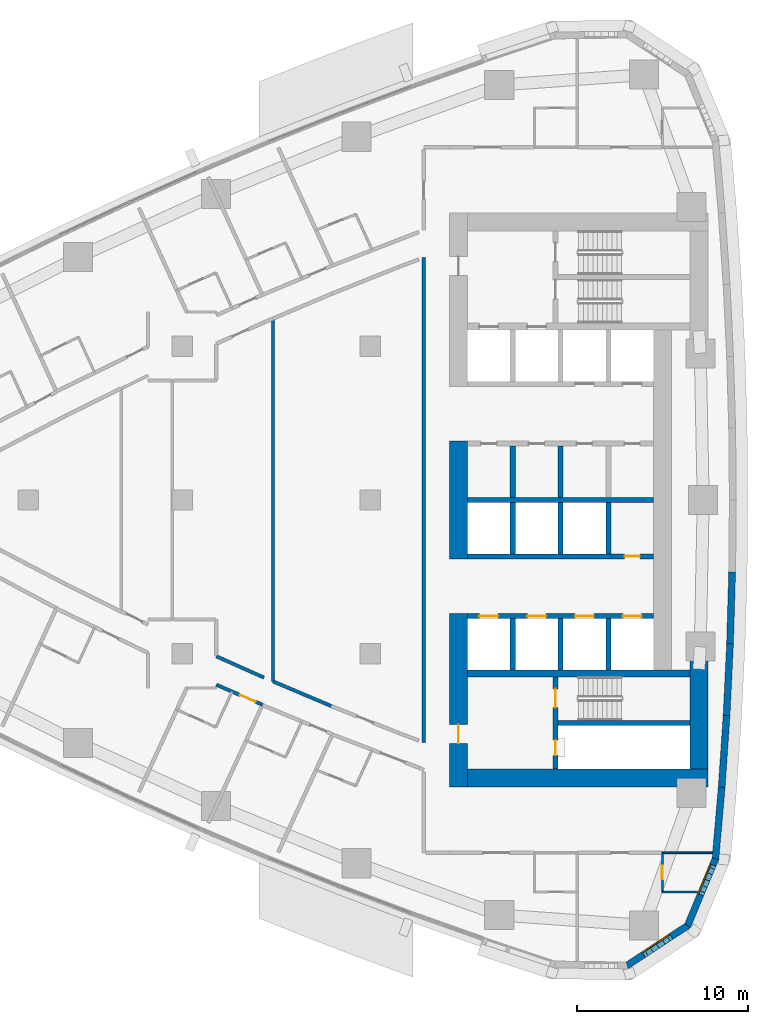
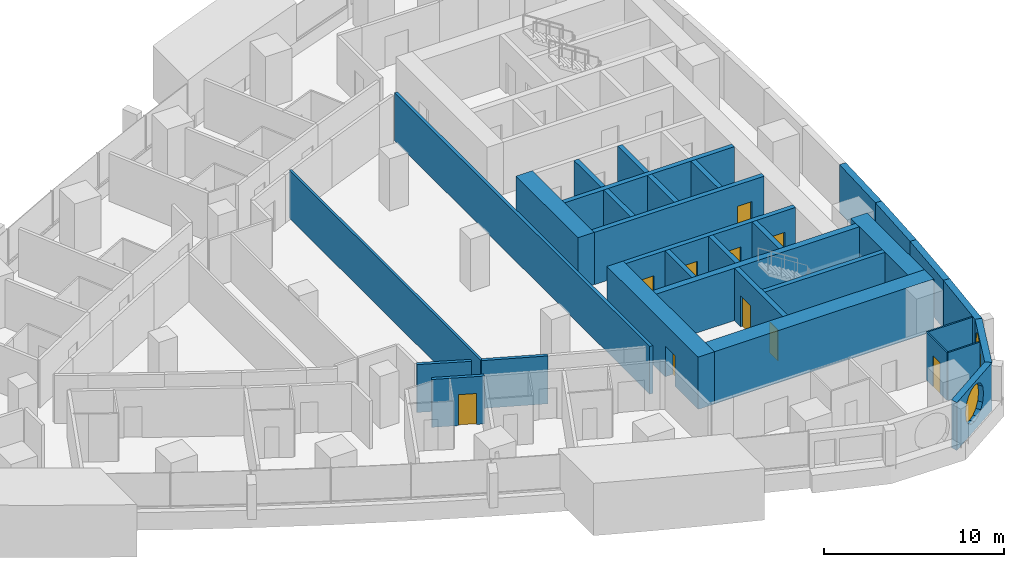
# One storey, part 10 of 17: 32 walls, 10 doors, 2 windows, 12 openings.
"""IFC4 building model written with IfcOpenShell, lengths in metres."""

from ifc_helpers import new_model, si_unit, direction, frame, frame_2d, origin, place, context, subcontext, project, spatial, polyline, rectangle, outline, extrude, material, layer, layer_set, type_object, element, fill, save


model = new_model("IFC4")

# Units and contexts
model_context = context("Model", 3, precision=1e-05, world=origin(), true_north=direction((0.0, 1.0)))
body_context = subcontext(model_context, "Body", "Model", "MODEL_VIEW")
ifc_project = project(units=[si_unit("LENGTHUNIT", "METRE"), si_unit("AREAUNIT", "SQUARE_METRE"), si_unit("VOLUMEUNIT", "CUBIC_METRE"), si_unit("PLANEANGLEUNIT", "RADIAN"), si_unit("MASSUNIT", "GRAM", prefix="KILO")], contexts=[model_context])

# Site, building, storey
site_placement = place(None, origin())
site = spatial("IfcSite", under=ifc_project, at=site_placement, CompositionType="ELEMENT")
building_placement = place(site_placement, origin())
building = spatial("IfcBuilding", under=site, at=building_placement, Name="Ostrand Prow Hotel Tower", CompositionType="ELEMENT")
storey_placement = place(building_placement, frame((0.0, 0.0, 84.89990234375)))
storey = spatial("IfcBuildingStorey", under=building, at=storey_placement, Name="L19", CompositionType="ELEMENT", Elevation=84.89990234375)

# Wall
ifc_material_1 = material(Name="Concrete C80/95", Category="concrete")
ifc_layer_1 = layer(ifc_material_1, 1.050048828125)
ifc_layer_set_1 = layer_set([ifc_layer_1], Name="Concrete C80/95")
wall_type_1 = type_object("IfcWallType", Name="Core wall 1050 C80/95", PredefinedType="SHEAR", material=ifc_layer_set_1)
wall_1_placement = place(storey_placement, frame((50.175048828125, -3.449951171875, 0.0), z_axis=(0.0, 0.0, 1.0), x_axis=(0.0, 1.0, 0.0)))
element("IfcWall", 1, at=wall_1_placement, inside=storey, type_object=wall_type_1, Name="Core wall CW-W-C", PredefinedType="SHEAR", context=body_context, shape_type="SweptSolid", body=[
    extrude(rectangle(XDim=6.89990234375, YDim=1.050048828125, at=frame_2d((3.449951171875, 0.0))), origin(), (0.0, 0.0, 1.0), 3.550048828125),
])

# Wall, opening, door
wall_2_placement = place(storey_placement, frame((50.175048828125, -16.800048828125, 0.0), z_axis=(0.0, 0.0, 1.0), x_axis=(0.0, 1.0, 0.0)))
wall_2 = element("IfcWall", 2, at=wall_2_placement, inside=storey, type_object=wall_type_1, Name="Core wall CW-W-S", PredefinedType="SHEAR", context=body_context, shape_type="SweptSolid", body=[
    extrude(rectangle(XDim=10.150146484375, YDim=1.050048828125, at=frame_2d((5.0751953125, 0.0))), origin(), (0.0, 0.0, 1.0), 3.550048828125),
])
opening_1_placement = place(wall_2_placement, frame((2.550048828125, 0.0, 0.0)))
opening_1 = element("IfcOpeningElement", 3, at=opening_1_placement, cuts=wall_2, Name="Opening FD1", PredefinedType="OPENING", context=body_context, shape_type="SweptSolid", body=[
    extrude(rectangle(XDim=1.10009765625, YDim=2.10009765625, at=frame_2d((0.550048828125, 1.050048828125))), frame((0.0, 0.534912109375, 0.0), z_axis=(0.0, -1.0, 0.0), x_axis=(1.0, 0.0, 0.0)), (0.0, 0.0, 1.0), 1.070068359375),
])
ifc_material_2 = material(Name="Steel fire door", Category="steel")
door_type_1 = type_object("IfcDoorType", Name="Fire door 1100 EI120", OperationType="SINGLE_SWING_RIGHT", PredefinedType="DOOR", material=ifc_material_2)
door_1_placement = place(opening_1_placement, origin())
door_1 = element("IfcDoor", 4, at=door_1_placement, inside=storey, type_object=door_type_1, Name="FIRE DOOR", OperationType="SINGLE_SWING_RIGHT", OverallHeight=2.10009765625, OverallWidth=1.10009765625, PredefinedType="DOOR", context=body_context, shape_type="SweptSolid", body=[
    extrude(rectangle(XDim=1.10009765625, YDim=2.10009765625, at=frame_2d((0.550048828125, 1.050048828125))), frame((0.0, 0.02490234375, 0.0), z_axis=(0.0, -1.0, 0.0), x_axis=(1.0, 0.0, 0.0)), (0.0, 0.0, 1.0), 0.050048828125),
])
fill(opening_1, door_1)

# Walls
wall_3_placement = place(storey_placement, frame((50.699951171875, -16.27490234375, 0.0), z_axis=(0.0, 0.0, 1.0), x_axis=(1.0, 0.0, 0.0)))
element("IfcWall", 5, at=wall_3_placement, inside=storey, type_object=wall_type_1, Name="Core wall CW-S", PredefinedType="SHEAR", context=body_context, shape_type="SweptSolid", body=[
    extrude(rectangle(XDim=14.070068359375, YDim=1.050048828125, at=frame_2d((7.03515625, 0.0))), origin(), (0.0, 0.0, 1.0), 3.550048828125),
])
wall_4_placement = place(storey_placement, frame((64.2451171875, -15.75, 0.0), z_axis=(0.0, 0.0, 1.0), x_axis=(0.0, 1.0, 0.0)))
element("IfcWall", 6, at=wall_4_placement, inside=storey, type_object=wall_type_1, Name="Core wall CW-E-S", PredefinedType="SHEAR", context=body_context, shape_type="SweptSolid", body=[
    extrude(rectangle(XDim=6.361328125, YDim=1.050048828125, at=frame_2d((3.1806640625, 0.0))), origin(), (0.0, 0.0, 1.0), 3.550048828125),
])
ifc_material_3 = material(Name="Concrete C80/95", Category="concrete")
ifc_layer_2 = layer(ifc_material_3, 0.300048828125)
ifc_layer_set_2 = layer_set([ifc_layer_2], Name="Concrete C80/95")
wall_type_2 = type_object("IfcWallType", Name="Core wall 300 C80/95", PredefinedType="SHEAR", material=ifc_layer_set_2)
wall_5_placement = place(storey_placement, frame((50.699951171875, 0.0, 0.0), z_axis=(0.0, 0.0, 1.0), x_axis=(1.0, 0.0, 0.0)))
element("IfcWall", 7, at=wall_5_placement, inside=storey, type_object=wall_type_2, Name="Core wall PW-C", PredefinedType="SHEAR", context=body_context, shape_type="SweptSolid", body=[
    extrude(rectangle(XDim=10.900146484375, YDim=0.300048828125, at=frame_2d((5.4501953125, 0.0))), origin(), (0.0, 0.0, 1.0), 3.550048828125),
])
for number, where, z_axis, x_axis, name in (
    (8, (53.35009765625, 0.14990234375, 0.0), (0.0, 0.0, 1.0), (0.0, 1.0, 0.0), "Core wall PW-R1-NB"),
    (9, (56.14990234375, 0.14990234375, 0.0), (0.0, 0.0, 1.0), (0.0, 1.0, 0.0), "Core wall PW-R2-NB"),
):
    element("IfcWall", number, at=place(storey_placement, frame(where, z_axis=z_axis, x_axis=x_axis)), inside=storey, type_object=wall_type_2, Name=name, PredefinedType="SHEAR", context=body_context, shape_type="SweptSolid", body=[
        extrude(rectangle(XDim=3.0, YDim=0.300048828125, at=frame_2d((1.5, 0.0))), origin(), (0.0, 0.0, 1.0), 3.550048828125),
    ])

# Wall, opening, door
wall_6_placement = place(storey_placement, frame((50.699951171875, -3.300048828125, 0.0), z_axis=(0.0, 0.0, 1.0), x_axis=(1.0, 0.0, 0.0)))
wall_6 = element("IfcWall", 10, at=wall_6_placement, inside=storey, type_object=wall_type_2, Name="Core wall PW-L1-S", PredefinedType="SHEAR", context=body_context, shape_type="SweptSolid", body=[
    extrude(rectangle(XDim=10.900146484375, YDim=0.300048828125, at=frame_2d((5.4501953125, 0.0))), origin(), (0.0, 0.0, 1.0), 3.550048828125),
])
opening_2_placement = place(wall_6_placement, frame((9.199951171875, 0.0, 0.0)))
opening_2 = element("IfcOpeningElement", 11, at=opening_2_placement, cuts=wall_6, Name="Opening FD2", PredefinedType="OPENING", context=body_context, shape_type="SweptSolid", body=[
    extrude(rectangle(XDim=0.89990234375, YDim=2.10009765625, at=frame_2d((0.449951171875, 1.050048828125))), frame((0.0, 0.159912109375, 0.0), z_axis=(0.0, -1.0, 0.0), x_axis=(1.0, 0.0, 0.0)), (0.0, 0.0, 1.0), 0.320068359375),
])
ifc_material_4 = material(Name="Steel fire door", Category="steel")
door_type_2 = type_object("IfcDoorType", Name="Fire door 900 EI120", OperationType="SINGLE_SWING_LEFT", PredefinedType="DOOR", material=ifc_material_4)
door_2_placement = place(opening_2_placement, origin())
door_2 = element("IfcDoor", 12, at=door_2_placement, inside=storey, type_object=door_type_2, Name="DOOR", OperationType="SINGLE_SWING_LEFT", OverallHeight=2.10009765625, OverallWidth=0.89990234375, PredefinedType="DOOR", context=body_context, shape_type="SweptSolid", body=[
    extrude(rectangle(XDim=0.89990234375, YDim=2.10009765625, at=frame_2d((0.449951171875, 1.050048828125))), frame((0.0, 0.02490234375, 0.0), z_axis=(0.0, -1.0, 0.0), x_axis=(1.0, 0.0, 0.0)), (0.0, 0.0, 1.0), 0.050048828125),
])
fill(opening_2, door_2)

# Wall, openings, doors
wall_7_placement = place(storey_placement, frame((50.699951171875, -6.800048828125, 0.0), z_axis=(0.0, 0.0, 1.0), x_axis=(1.0, 0.0, 0.0)))
wall_7 = element("IfcWall", 13, at=wall_7_placement, inside=storey, type_object=wall_type_2, Name="Core wall PW-L2-S", PredefinedType="SHEAR", context=body_context, shape_type="SweptSolid", body=[
    extrude(rectangle(XDim=10.900146484375, YDim=0.300048828125, at=frame_2d((5.4501953125, 0.0))), origin(), (0.0, 0.0, 1.0), 3.550048828125),
])
opening_3_placement = place(wall_7_placement, frame((0.699951171875, 0.0, 0.0)))
opening_3 = element("IfcOpeningElement", 14, at=opening_3_placement, cuts=wall_7, Name="Opening LD", PredefinedType="OPENING", context=body_context, shape_type="SweptSolid", body=[
    extrude(rectangle(XDim=1.10009765625, YDim=2.10009765625, at=frame_2d((0.550048828125, 1.050048828125))), frame((0.0, 0.159912109375, 0.0), z_axis=(0.0, -1.0, 0.0), x_axis=(1.0, 0.0, 0.0)), (0.0, 0.0, 1.0), 0.320068359375),
])
opening_4_placement = place(wall_7_placement, frame((3.5, 0.0, 0.0)))
opening_4 = element("IfcOpeningElement", 15, at=opening_4_placement, cuts=wall_7, Name="Opening LD", PredefinedType="OPENING", context=body_context, shape_type="SweptSolid", body=[
    extrude(rectangle(XDim=1.10009765625, YDim=2.10009765625, at=frame_2d((0.550048828125, 1.050048828125))), frame((0.0, 0.159912109375, 0.0), z_axis=(0.0, -1.0, 0.0), x_axis=(1.0, 0.0, 0.0)), (0.0, 0.0, 1.0), 0.320068359375),
])
opening_5_placement = place(wall_7_placement, frame((6.300048828125, 0.0, 0.0)))
opening_5 = element("IfcOpeningElement", 16, at=opening_5_placement, cuts=wall_7, Name="Opening LD", PredefinedType="OPENING", context=body_context, shape_type="SweptSolid", body=[
    extrude(rectangle(XDim=1.10009765625, YDim=2.10009765625, at=frame_2d((0.550048828125, 1.050048828125))), frame((0.0, 0.159912109375, 0.0), z_axis=(0.0, -1.0, 0.0), x_axis=(1.0, 0.0, 0.0)), (0.0, 0.0, 1.0), 0.320068359375),
])
opening_6_placement = place(wall_7_placement, frame((9.10009765625, 0.0, 0.0)))
opening_6 = element("IfcOpeningElement", 17, at=opening_6_placement, cuts=wall_7, Name="Opening LD", PredefinedType="OPENING", context=body_context, shape_type="SweptSolid", body=[
    extrude(rectangle(XDim=1.10009765625, YDim=2.10009765625, at=frame_2d((0.550048828125, 1.050048828125))), frame((0.0, 0.159912109375, 0.0), z_axis=(0.0, -1.0, 0.0), x_axis=(1.0, 0.0, 0.0)), (0.0, 0.0, 1.0), 0.320068359375),
])
ifc_material_5 = material(Name="Stainless steel door", Category="steel")
door_type_3 = type_object("IfcDoorType", Name="Lift landing door 1100", OperationType="DOUBLE_DOOR_SLIDING", PredefinedType="DOOR", material=ifc_material_5)
door_3_placement = place(opening_3_placement, origin())
door_3 = element("IfcDoor", 18, at=door_3_placement, inside=storey, type_object=door_type_3, Name="LIFT LANDING DOOR", OperationType="DOUBLE_DOOR_SLIDING", OverallHeight=2.10009765625, OverallWidth=1.10009765625, PredefinedType="DOOR", context=body_context, shape_type="SweptSolid", body=[
    extrude(rectangle(XDim=1.10009765625, YDim=2.10009765625, at=frame_2d((0.550048828125, 1.050048828125))), frame((0.0, 0.02490234375, 0.0), z_axis=(0.0, -1.0, 0.0), x_axis=(1.0, 0.0, 0.0)), (0.0, 0.0, 1.0), 0.050048828125),
])
fill(opening_3, door_3)
door_4_placement = place(opening_4_placement, origin())
door_4 = element("IfcDoor", 19, at=door_4_placement, inside=storey, type_object=door_type_3, Name="LIFT LANDING DOOR", OperationType="DOUBLE_DOOR_SLIDING", OverallHeight=2.10009765625, OverallWidth=1.10009765625, PredefinedType="DOOR", context=body_context, shape_type="SweptSolid", body=[
    extrude(rectangle(XDim=1.10009765625, YDim=2.10009765625, at=frame_2d((0.550048828125, 1.050048828125))), frame((0.0, 0.02490234375, 0.0), z_axis=(0.0, -1.0, 0.0), x_axis=(1.0, 0.0, 0.0)), (0.0, 0.0, 1.0), 0.050048828125),
])
fill(opening_4, door_4)
door_5_placement = place(opening_5_placement, origin())
door_5 = element("IfcDoor", 20, at=door_5_placement, inside=storey, type_object=door_type_3, Name="LIFT LANDING DOOR", OperationType="DOUBLE_DOOR_SLIDING", OverallHeight=2.10009765625, OverallWidth=1.10009765625, PredefinedType="DOOR", context=body_context, shape_type="SweptSolid", body=[
    extrude(rectangle(XDim=1.10009765625, YDim=2.10009765625, at=frame_2d((0.550048828125, 1.050048828125))), frame((0.0, 0.02490234375, 0.0), z_axis=(0.0, -1.0, 0.0), x_axis=(1.0, 0.0, 0.0)), (0.0, 0.0, 1.0), 0.050048828125),
])
fill(opening_5, door_5)
door_6_placement = place(opening_6_placement, origin())
door_6 = element("IfcDoor", 21, at=door_6_placement, inside=storey, type_object=door_type_3, Name="LIFT LANDING DOOR", OperationType="DOUBLE_DOOR_SLIDING", OverallHeight=2.10009765625, OverallWidth=1.10009765625, PredefinedType="DOOR", context=body_context, shape_type="SweptSolid", body=[
    extrude(rectangle(XDim=1.10009765625, YDim=2.10009765625, at=frame_2d((0.550048828125, 1.050048828125))), frame((0.0, 0.02490234375, 0.0), z_axis=(0.0, -1.0, 0.0), x_axis=(1.0, 0.0, 0.0)), (0.0, 0.0, 1.0), 0.050048828125),
])
fill(opening_6, door_6)

# Walls
for number, where, z_axis, x_axis, name in (
    (22, (53.35009765625, -3.14990234375, 0.0), (0.0, 0.0, 1.0), (0.0, 1.0, 0.0), "Core wall PW-R1-SB"),
    (23, (53.35009765625, -9.949951171875, 0.0), (0.0, 0.0, 1.0), (0.0, 1.0, 0.0), "Core wall PW-R1-SA"),
    (24, (56.14990234375, -3.14990234375, 0.0), (0.0, 0.0, 1.0), (0.0, 1.0, 0.0), "Core wall PW-R2-SB"),
    (25, (56.14990234375, -9.949951171875, 0.0), (0.0, 0.0, 1.0), (0.0, 1.0, 0.0), "Core wall PW-R2-SA"),
    (26, (58.949951171875, -3.14990234375, 0.0), (0.0, 0.0, 1.0), (0.0, 1.0, 0.0), "Core wall PW-R3-SB"),
    (27, (58.949951171875, -9.949951171875, 0.0), (0.0, 0.0, 1.0), (0.0, 1.0, 0.0), "Core wall PW-R3-SA"),
):
    element("IfcWall", number, at=place(storey_placement, frame(where, z_axis=z_axis, x_axis=x_axis)), inside=storey, type_object=wall_type_2, Name=name, PredefinedType="SHEAR", context=body_context, shape_type="SweptSolid", body=[
        extrude(rectangle(XDim=3.0, YDim=0.300048828125, at=frame_2d((1.5, 0.0))), origin(), (0.0, 0.0, 1.0), 3.550048828125),
    ])

# Wall, openings, doors
wall_8_placement = place(storey_placement, frame((55.85009765625, -15.75, 0.0), z_axis=(0.0, 0.0, 1.0), x_axis=(0.0, 1.0, 0.0)))
wall_8 = element("IfcWall", 28, at=wall_8_placement, inside=storey, type_object=wall_type_2, Name="Core wall PW-VS", PredefinedType="SHEAR", context=body_context, shape_type="SweptSolid", body=[
    extrude(rectangle(XDim=5.39990234375, YDim=0.300048828125, at=frame_2d((2.699951171875, 0.0))), origin(), (0.0, 0.0, 1.0), 3.550048828125),
])
opening_7_placement = place(wall_8_placement, frame((3.60009765625, 0.0, 0.0)))
opening_7 = element("IfcOpeningElement", 29, at=opening_7_placement, cuts=wall_8, Name="Opening FD1", PredefinedType="OPENING", context=body_context, shape_type="SweptSolid", body=[
    extrude(rectangle(XDim=1.10009765625, YDim=2.10009765625, at=frame_2d((0.550048828125, 1.050048828125))), frame((0.0, 0.159912109375, 0.0), z_axis=(0.0, -1.0, 0.0), x_axis=(1.0, 0.0, 0.0)), (0.0, 0.0, 1.0), 0.320068359375),
])
opening_8_placement = place(wall_8_placement, frame((0.800048828125, 0.0, 0.0)))
opening_8 = element("IfcOpeningElement", 30, at=opening_8_placement, cuts=wall_8, Name="Opening FD2", PredefinedType="OPENING", context=body_context, shape_type="SweptSolid", body=[
    extrude(rectangle(XDim=0.89990234375, YDim=2.10009765625, at=frame_2d((0.449951171875, 1.050048828125))), frame((0.0, 0.159912109375, 0.0), z_axis=(0.0, -1.0, 0.0), x_axis=(1.0, 0.0, 0.0)), (0.0, 0.0, 1.0), 0.320068359375),
])
door_7_placement = place(opening_7_placement, origin())
door_7 = element("IfcDoor", 31, at=door_7_placement, inside=storey, type_object=door_type_1, Name="FIRE DOOR", OperationType="SINGLE_SWING_RIGHT", OverallHeight=2.10009765625, OverallWidth=1.10009765625, PredefinedType="DOOR", context=body_context, shape_type="SweptSolid", body=[
    extrude(rectangle(XDim=1.10009765625, YDim=2.10009765625, at=frame_2d((0.550048828125, 1.050048828125))), frame((0.0, 0.02490234375, 0.0), z_axis=(0.0, -1.0, 0.0), x_axis=(1.0, 0.0, 0.0)), (0.0, 0.0, 1.0), 0.050048828125),
])
fill(opening_7, door_7)
door_8_placement = place(opening_8_placement, origin())
door_8 = element("IfcDoor", 32, at=door_8_placement, inside=storey, type_object=door_type_2, Name="FIRE DOOR", OperationType="SINGLE_SWING_LEFT", OverallHeight=2.10009765625, OverallWidth=0.89990234375, PredefinedType="DOOR", context=body_context, shape_type="SweptSolid", body=[
    extrude(rectangle(XDim=0.89990234375, YDim=2.10009765625, at=frame_2d((0.449951171875, 1.050048828125))), frame((0.0, 0.02490234375, 0.0), z_axis=(0.0, -1.0, 0.0), x_axis=(1.0, 0.0, 0.0)), (0.0, 0.0, 1.0), 0.050048828125),
])
fill(opening_8, door_8)

# Walls
wall_9_placement = place(storey_placement, frame((56.0, -13.050048828125, 0.0), z_axis=(0.0, 0.0, 1.0), x_axis=(1.0, 0.0, 0.0)))
element("IfcWall", 33, at=wall_9_placement, inside=storey, type_object=wall_type_2, Name="Core wall PW-ST2R", PredefinedType="SHEAR", context=body_context, shape_type="SweptSolid", body=[
    extrude(rectangle(XDim=7.719970703125, YDim=0.300048828125, at=frame_2d((3.85986328125, 0.0))), origin(), (0.0, 0.0, 1.0), 3.550048828125),
])
ifc_material_6 = material(Name="Concrete C80/95", Category="concrete")
ifc_layer_3 = layer(ifc_material_6, 0.39990234375)
ifc_layer_set_3 = layer_set([ifc_layer_3], Name="Concrete C80/95")
wall_type_3 = type_object("IfcWallType", Name="Core wall 400 C80/95", PredefinedType="SHEAR", material=ifc_layer_set_3)
wall_10_placement = place(storey_placement, frame((50.699951171875, -10.14990234375, 0.0), z_axis=(0.0, 0.0, 1.0), x_axis=(1.0, 0.0, 0.0)))
element("IfcWall", 34, at=wall_10_placement, inside=storey, type_object=wall_type_3, Name="Core wall PW-BS", PredefinedType="SHEAR", context=body_context, shape_type="SweptSolid", body=[
    extrude(rectangle(XDim=13.02001953125, YDim=0.39990234375, at=frame_2d((6.510009765625, 0.0))), origin(), (0.0, 0.0, 1.0), 3.550048828125),
])
ifc_material_7 = material(Name="Plasterboard partition")
ifc_layer_4 = layer(ifc_material_7, 0.10009765625)
ifc_layer_set_4 = layer_set([ifc_layer_4], Name="Plasterboard partition")
wall_type_4 = type_object("IfcWallType", Name="Partition 100 bathroom wall", PredefinedType="PARTITIONING", material=ifc_layer_set_4)
wall_11_placement = place(storey_placement, frame((64.160400390625, -22.949951171875, 0.0), z_axis=(0.0, 0.0, 1.0), x_axis=(-1.0, 0.0, 0.0)))
element("IfcWall", 35, at=wall_11_placement, inside=storey, type_object=wall_type_4, Name="BATHROOM WALL", PredefinedType="PARTITIONING", context=body_context, shape_type="SweptSolid", body=[
    extrude(rectangle(XDim=2.04931640625, YDim=0.10009765625, at=frame_2d((1.024658203125, 0.0))), origin(), (0.0, 0.0, 1.0), 3.25),
])

# Wall, opening, door
wall_12_placement = place(storey_placement, frame((62.111083984375, -22.949951171875, 0.0), z_axis=(0.0, 0.0, 1.0), x_axis=(0.0, 1.0, 0.0)))
wall_12 = element("IfcWall", 36, at=wall_12_placement, inside=storey, type_object=wall_type_4, Name="BATHROOM WALL", PredefinedType="PARTITIONING", context=body_context, shape_type="SweptSolid", body=[
    extrude(rectangle(XDim=2.300048828125, YDim=0.10009765625, at=frame_2d((1.14990234375, 0.0))), origin(), (0.0, 0.0, 1.0), 3.25),
])
opening_9_placement = place(wall_12_placement, frame((0.75, 0.0, 0.0)))
opening_9 = element("IfcOpeningElement", 37, at=opening_9_placement, cuts=wall_12, Name="Opening D2", PredefinedType="OPENING", context=body_context, shape_type="SweptSolid", body=[
    extrude(rectangle(XDim=0.800048828125, YDim=2.10009765625, at=frame_2d((0.39990234375, 1.050048828125))), frame((0.0, 0.06005859375, 0.0), z_axis=(0.0, -1.0, 0.0), x_axis=(1.0, 0.0, 0.0)), (0.0, 0.0, 1.0), 0.1201171875),
])
ifc_material_8 = material(Name="Timber door leaf", Category="wood")
door_type_4 = type_object("IfcDoorType", Name="Bathroom door 800", OperationType="SINGLE_SWING_LEFT", PredefinedType="DOOR", material=ifc_material_8)
door_9_placement = place(opening_9_placement, origin())
door_9 = element("IfcDoor", 38, at=door_9_placement, inside=storey, type_object=door_type_4, Name="DOOR", OperationType="SINGLE_SWING_LEFT", OverallHeight=2.10009765625, OverallWidth=0.800048828125, PredefinedType="DOOR", context=body_context, shape_type="SweptSolid", body=[
    extrude(rectangle(XDim=0.800048828125, YDim=2.10009765625, at=frame_2d((0.39990234375, 1.050048828125))), frame((0.0, 0.02490234375, 0.0), z_axis=(0.0, -1.0, 0.0), x_axis=(1.0, 0.0, 0.0)), (0.0, 0.0, 1.0), 0.050048828125),
])
fill(opening_9, door_9)

# Walls
wall_13_placement = place(storey_placement, frame((62.111083984375, -20.655029296875, 0.0), z_axis=(0.0, 0.0, 1.0), x_axis=(1.0, 0.0, 0.0)))
element("IfcWall", 39, at=wall_13_placement, inside=storey, type_object=wall_type_4, Name="BATHROOM WALL", PredefinedType="PARTITIONING", context=body_context, shape_type="SweptSolid", body=[
    extrude(rectangle(XDim=2.90576171875, YDim=0.10009765625, at=frame_2d((1.452880859375, 0.0))), origin(), (0.0, 0.0, 1.0), 3.25),
])
ifc_material_9 = material(Name="Plasterboard partition")
ifc_layer_5 = layer(ifc_material_9, 0.14990234375)
ifc_layer_set_5 = layer_set([ifc_layer_5], Name="Plasterboard partition")
wall_type_5 = type_object("IfcWallType", Name="Partition 150 room partition", PredefinedType="PARTITIONING", material=ifc_layer_set_5)
wall_14_placement = place(storey_placement, frame((39.31787109375, -10.619384765625, 0.0), z_axis=(0.0, 0.0, 1.0), x_axis=(0.0, 1.0, 0.0)))
element("IfcWall", 40, at=wall_14_placement, inside=storey, type_object=wall_type_5, Name="ROOM PARTITION", PredefinedType="PARTITIONING", context=body_context, shape_type="SweptSolid", body=[
    extrude(rectangle(XDim=21.23876953125, YDim=0.14990234375, at=frame_2d((10.619384765625, 0.0))), origin(), (0.0, 0.0, 1.0), 3.25),
])

# Wall, opening, door
ifc_material_10 = material(Name="Plasterboard partition")
ifc_layer_6 = layer(ifc_material_10, 0.199951171875)
ifc_layer_set_6 = layer_set([ifc_layer_6], Name="Plasterboard partition")
wall_type_6 = type_object("IfcWallType", Name="Partition 200 corridor wall", PredefinedType="PARTITIONING", material=ifc_layer_set_6)
wall_15_placement = place(storey_placement, frame((36.0, -10.814697265625, 0.0), z_axis=(0.0, 0.0, 1.0), x_axis=(0.917314766234, -0.398162805457, 0.0)))
wall_15 = element("IfcWall", 41, at=wall_15_placement, inside=storey, type_object=wall_type_6, Name="CORRIDOR WALL", PredefinedType="PARTITIONING", context=body_context, shape_type="SweptSolid", body=[
    extrude(rectangle(XDim=2.947998046875, YDim=0.199951171875, at=frame_2d((1.47412109375, 0.0))), origin(), (0.0, 0.0, 1.0), 3.25),
])
opening_10_placement = place(wall_15_placement, frame((1.5, 0.0, 0.0)))
opening_10 = element("IfcOpeningElement", 42, at=opening_10_placement, cuts=wall_15, Name="Opening D1", PredefinedType="OPENING", context=body_context, shape_type="SweptSolid", body=[
    extrude(rectangle(XDim=1.0, YDim=2.10009765625, at=frame_2d((0.5, 1.050048828125))), frame((0.0, 0.10986328125, 0.0), z_axis=(0.0, -1.0, 0.0), x_axis=(1.0, 0.0, 0.0)), (0.0, 0.0, 1.0), 0.219970703125),
])
ifc_material_11 = material(Name="Timber door leaf", Category="wood")
door_type_5 = type_object("IfcDoorType", Name="Guest room door 1000", OperationType="SINGLE_SWING_LEFT", PredefinedType="DOOR", material=ifc_material_11)
door_10_placement = place(opening_10_placement, origin())
door_10 = element("IfcDoor", 43, at=door_10_placement, inside=storey, type_object=door_type_5, Name="DOOR", OperationType="SINGLE_SWING_LEFT", OverallHeight=2.10009765625, OverallWidth=1.0, PredefinedType="DOOR", context=body_context, shape_type="SweptSolid", body=[
    extrude(rectangle(XDim=1.0, YDim=2.10009765625, at=frame_2d((0.5, 1.050048828125))), frame((0.0, 0.02490234375, 0.0), z_axis=(0.0, -1.0, 0.0), x_axis=(1.0, 0.0, 0.0)), (0.0, 0.0, 1.0), 0.050048828125),
])
fill(opening_10, door_10)

# Walls
wall_16_placement = place(storey_placement, frame((38.7919921875, -10.397216796875, 0.0), z_axis=(0.0, 0.0, 1.0), x_axis=(-0.913029587861, 0.407893333716, 0.0)))
element("IfcWall", 44, at=wall_16_placement, inside=storey, type_object=wall_type_6, Name="CORRIDOR WALL", PredefinedType="PARTITIONING", context=body_context, shape_type="SweptSolid", body=[
    extrude(rectangle(XDim=3.057861328125, YDim=0.199951171875, at=frame_2d((1.52880859375, 0.0))), origin(), (0.0, 0.0, 1.0), 3.25),
])
wall_17_placement = place(storey_placement, frame((42.727783203125, -12.0615234375, 0.0), z_axis=(0.0, 0.0, 1.0), x_axis=(-0.92101730011, 0.389521671923, 0.0)))
element("IfcWall", 45, at=wall_17_placement, inside=storey, type_object=wall_type_6, Name="CORRIDOR WALL", PredefinedType="PARTITIONING", context=body_context, shape_type="SweptSolid", body=[
    extrude(rectangle(XDim=3.702392578125, YDim=0.199951171875, at=frame_2d((1.85107421875, 0.0))), origin(), (0.0, 0.0, 1.0), 3.25),
])
wall_18_placement = place(storey_placement, frame((48.14990234375, 14.188720703125, 0.0), z_axis=(0.0, 0.0, 1.0), x_axis=(0.0, -1.0, 0.0)))
element("IfcWall", 46, at=wall_18_placement, inside=storey, type_object=wall_type_6, Name="CORRIDOR WALL", PredefinedType="PARTITIONING", context=body_context, shape_type="SweptSolid", body=[
    extrude(rectangle(XDim=28.37744140625, YDim=0.199951171875, at=frame_2d((14.188720703125, 0.0))), origin(), (0.0, 0.0, 1.0), 3.25),
])

# Wall, opening, window
ifc_material_12 = material(Name="Precast concrete C40/50", Category="concrete")
ifc_layer_7 = layer(ifc_material_12, 0.39990234375)
ifc_layer_set_7 = layer_set([ifc_layer_7], Name="Precast concrete C40/50")
wall_type_7 = type_object("IfcWallType", Name="Stone-faced precast wall 400 mm", PredefinedType="NOTDEFINED", material=ifc_layer_set_7)
wall_19_placement = place(storey_placement, frame((60.048583984375, -27.245849609375, 0.0), z_axis=(0.0, 0.0, 1.0), x_axis=(0.835340523653, 0.549732852887, 0.0)))
wall_19 = element("IfcWall", 47, at=wall_19_placement, inside=storey, type_object=wall_type_7, Name="Stone-faced wall back 3", PredefinedType="NOTDEFINED", context=body_context, shape_type="SweptSolid", body=[
    extrude(outline(polyline([(-0.061279296875, -0.199951171875), (4.30029296875, -0.199951171875), (4.177734375, 0.199951171875), (0.061279296875, 0.199951171875), (-0.061279296875, -0.199951171875)])), origin(), (0.0, 0.0, 1.0), 3.25),
])
opening_11_placement = place(wall_19_placement, frame((1.01953125, 0.0, 0.60009765625)))
opening_11 = element("IfcOpeningElement", 48, at=opening_11_placement, cuts=wall_19, Name="Opening WP1", PredefinedType="OPENING", context=body_context, shape_type="SweptSolid", body=[
    extrude(outline(polyline([(0.0, 1.35009765625), (0.083740234375, 1.77099609375), (0.322265625, 2.127685546875), (0.678955078125, 2.3662109375), (1.10009765625, 2.449951171875), (1.52099609375, 2.3662109375), (1.877685546875, 2.127685546875), (2.1162109375, 1.77099609375), (2.199951171875, 1.35009765625), (2.199951171875, 1.10009765625), (2.1162109375, 0.678955078125), (1.877685546875, 0.322265625), (1.52099609375, 0.083740234375), (1.10009765625, 0.0), (0.678955078125, 0.083740234375), (0.322265625, 0.322265625), (0.083740234375, 0.678955078125), (0.0, 1.099853515625), (0.0, 1.35009765625)])), frame((0.0, 0.2099609375, 0.0), z_axis=(0.0, -1.0, 0.0), x_axis=(1.0, 0.0, 0.0)), (0.0, 0.0, 1.0), 0.419921875),
])
ifc_material_13 = material(Name="Insulated glass in bronze frame", Category="glass")
window_type_1 = type_object("IfcWindowType", Name="Round-ended prow window 2200x2450", PartitioningType="SINGLE_PANEL", PredefinedType="WINDOW", material=ifc_material_13)
window_1_placement = place(opening_11_placement, origin())
window_1 = element("IfcWindow", 49, at=window_1_placement, inside=storey, type_object=window_type_1, Name="Window back 3.1", OverallHeight=2.449951171875, OverallWidth=2.199951171875, PartitioningType="SINGLE_PANEL", PredefinedType="WINDOW", context=body_context, shape_type="SweptSolid", body=[
    extrude(outline(polyline([(0.0, 1.35009765625), (0.083740234375, 1.77099609375), (0.322265625, 2.127685546875), (0.678955078125, 2.3662109375), (1.10009765625, 2.449951171875), (1.52099609375, 2.3662109375), (1.877685546875, 2.127685546875), (2.1162109375, 1.77099609375), (2.199951171875, 1.35009765625), (2.199951171875, 1.10009765625), (2.1162109375, 0.678955078125), (1.877685546875, 0.322265625), (1.52099609375, 0.083740234375), (1.10009765625, 0.0), (0.678955078125, 0.083740234375), (0.322265625, 0.322265625), (0.083740234375, 0.678955078125), (0.0, 1.099853515625), (0.0, 1.35009765625)])), frame((0.0, 0.169921875, 0.0), z_axis=(0.0, -1.0, 0.0), x_axis=(1.0, 0.0, 0.0)), (0.0, 0.0, 1.0), 0.06005859375),
])
fill(opening_11, window_1)

wall_20_placement = place(storey_placement, frame((63.589599609375, -24.91552734375, 0.0), z_axis=(0.0, 0.0, 1.0), x_axis=(0.383997751971, 0.923334027577, 0.0)))
wall_20 = element("IfcWall", 50, at=wall_20_placement, inside=storey, type_object=wall_type_7, Name="Stone-faced wall back 4", PredefinedType="NOTDEFINED", context=body_context, shape_type="SweptSolid", body=[
    extrude(outline(polyline([(-0.061279296875, -0.199951171875), (4.269775390625, -0.199951171875), (4.207763671875, 0.199951171875), (0.061279296875, 0.199951171875), (-0.061279296875, -0.199951171875)])), origin(), (0.0, 0.0, 1.0), 3.25),
])
opening_12_placement = place(wall_20_placement, frame((1.852294921875, 0.0, 0.60009765625)))
opening_12 = element("IfcOpeningElement", 51, at=opening_12_placement, cuts=wall_20, Name="Opening WP1-21", PredefinedType="OPENING", context=body_context, shape_type="SweptSolid", body=[
    extrude(outline(polyline([(0.0, 1.39990234375), (0.079833984375, 1.8017578125), (0.3076171875, 2.142333984375), (0.648193359375, 2.3701171875), (1.050048828125, 2.449951171875), (1.451904296875, 2.3701171875), (1.79248046875, 2.142333984375), (2.020263671875, 1.8017578125), (2.10009765625, 1.39990234375), (2.10009765625, 1.050048828125), (2.020263671875, 0.648193359375), (1.79248046875, 0.3076171875), (1.451904296875, 0.079833984375), (1.050048828125, 0.0), (0.648193359375, 0.079833984375), (0.3076171875, 0.3076171875), (0.079833984375, 0.648193359375), (0.0, 1.050048828125), (0.0, 1.39990234375)])), frame((0.0, 0.2099609375, 0.0), z_axis=(0.0, -1.0, 0.0), x_axis=(1.0, 0.0, 0.0)), (0.0, 0.0, 1.0), 0.419921875),
])
ifc_material_14 = material(Name="Insulated glass in bronze frame", Category="glass")
window_type_2 = type_object("IfcWindowType", Name="Round-ended prow window 2100x2450", PartitioningType="SINGLE_PANEL", PredefinedType="WINDOW", material=ifc_material_14)
window_2_placement = place(opening_12_placement, origin())
window_2 = element("IfcWindow", 52, at=window_2_placement, inside=storey, type_object=window_type_2, Name="Window back 4.1", OverallHeight=2.449951171875, OverallWidth=2.10009765625, PartitioningType="SINGLE_PANEL", PredefinedType="WINDOW", context=body_context, shape_type="SweptSolid", body=[
    extrude(outline(polyline([(0.0, 1.39990234375), (0.079833984375, 1.8017578125), (0.3076171875, 2.142333984375), (0.648193359375, 2.3701171875), (1.050048828125, 2.449951171875), (1.451904296875, 2.3701171875), (1.79248046875, 2.142333984375), (2.020263671875, 1.8017578125), (2.10009765625, 1.39990234375), (2.10009765625, 1.050048828125), (2.020263671875, 0.648193359375), (1.79248046875, 0.3076171875), (1.451904296875, 0.079833984375), (1.050048828125, 0.0), (0.648193359375, 0.079833984375), (0.3076171875, 0.3076171875), (0.079833984375, 0.648193359375), (0.0, 1.050048828125), (0.0, 1.39990234375)])), frame((0.0, 0.169921875, 0.0), z_axis=(0.0, -1.0, 0.0), x_axis=(1.0, 0.0, 0.0)), (0.0, 0.0, 1.0), 0.06005859375),
])
fill(opening_12, window_2)

# Walls
wall_21_placement = place(storey_placement, frame((65.21728515625, -21.001708984375, 0.0), z_axis=(0.0, 0.0, 1.0), x_axis=(0.086992730434, 0.996208946382, 0.0)))
element("IfcWall", 53, at=wall_21_placement, inside=storey, type_object=wall_type_7, Name="Stone-faced wall back 5", PredefinedType="NOTDEFINED", context=body_context, shape_type="SweptSolid", body=[
    extrude(outline(polyline([(-0.031005859375, -0.199951171875), (4.208740234375, -0.199951171875), (4.204833984375, 0.199951171875), (0.031005859375, 0.199951171875), (-0.031005859375, -0.199951171875)])), origin(), (0.0, 0.0, 1.0), 3.25),
])
wall_22_placement = place(storey_placement, frame((65.583251953125, -16.810791015625, 0.0), z_axis=(0.0, 0.0, 1.0), x_axis=(0.067724559895, 0.997704056315, 0.0)))
element("IfcWall", 54, at=wall_22_placement, inside=storey, type_object=wall_type_7, Name="Stone-faced wall back 6", PredefinedType="NOTDEFINED", context=body_context, shape_type="SweptSolid", body=[
    extrude(outline(polyline([(-0.001953125, -0.199951171875), (4.208984375, -0.199951171875), (4.205078125, 0.199951171875), (0.001953125, 0.199951171875), (-0.001953125, -0.199951171875)])), origin(), (0.0, 0.0, 1.0), 3.25),
])
for number, where, z_axis, x_axis, name in (
    (55, (65.8681640625, -12.613525390625, 0.0), (0.0, 0.0, 1.0), (0.048342691508, 0.998830808585, 0.0), "Stone-faced wall back 7"),
    (56, (66.071533203125, -8.41162109375, 0.0), (0.0, 0.0, 1.0), (0.02901703777, 0.999578917104, 0.0), "Stone-faced wall back 8"),
):
    element("IfcWall", number, at=place(storey_placement, frame(where, z_axis=z_axis, x_axis=x_axis)), inside=storey, type_object=wall_type_7, Name=name, PredefinedType="NOTDEFINED", context=body_context, shape_type="SweptSolid", body=[
        extrude(outline(polyline([(-0.001953125, -0.199951171875), (4.208740234375, -0.199951171875), (4.204833984375, 0.199951171875), (0.001953125, 0.199951171875), (-0.001953125, -0.199951171875)])), origin(), (0.0, 0.0, 1.0), 3.25),
    ])

save(model, "model.ifc")
